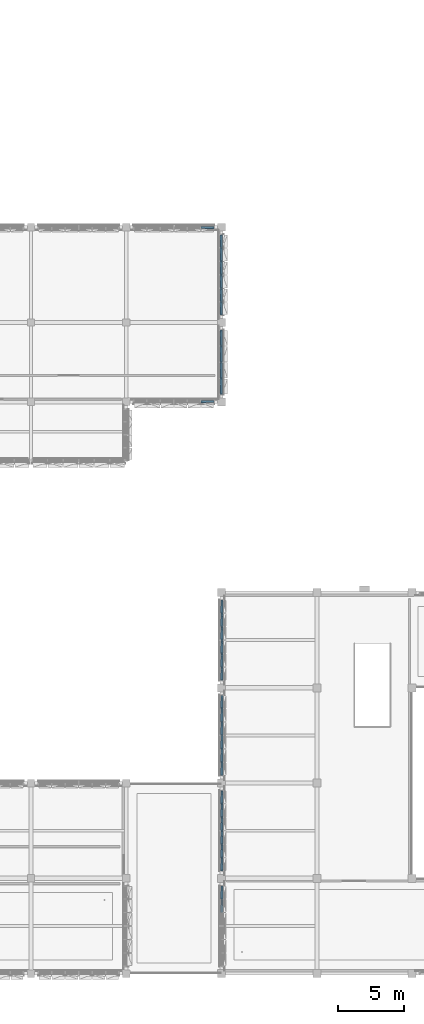
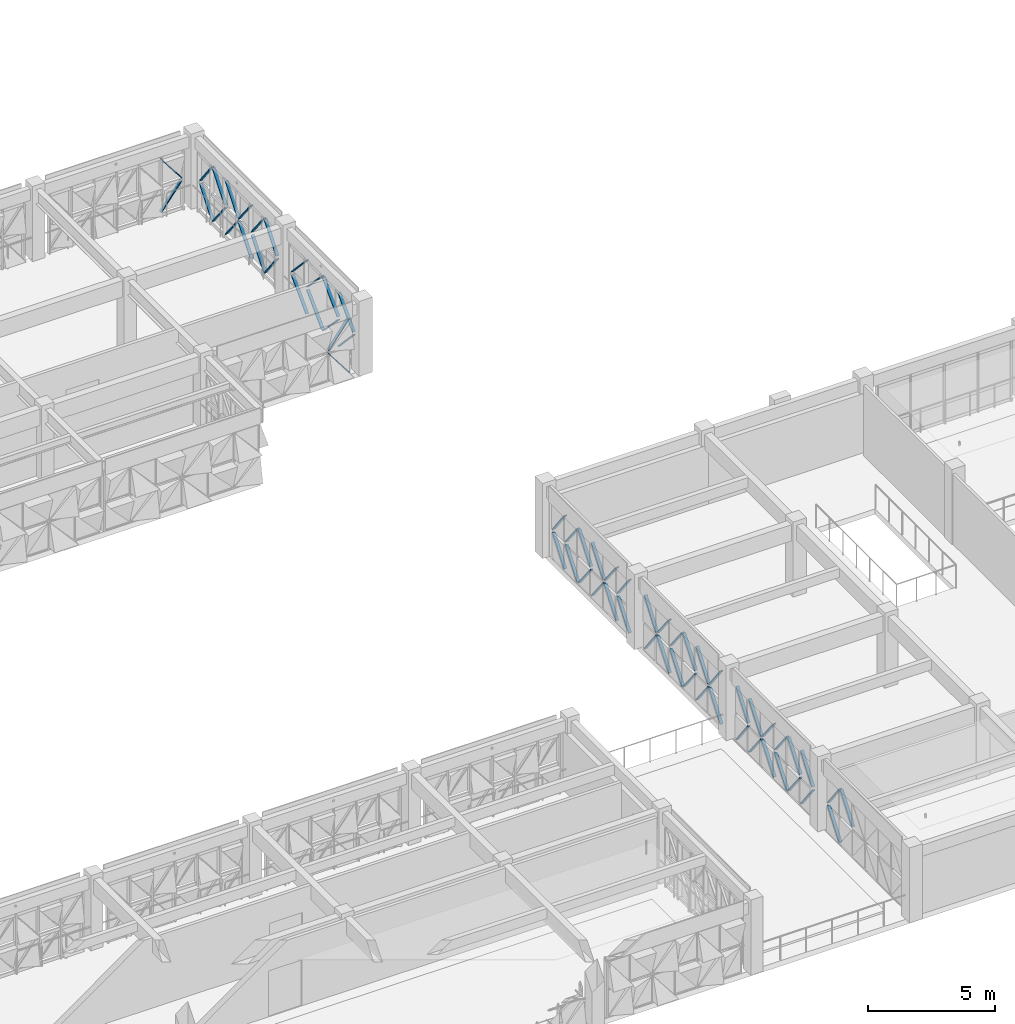
# One storey, part 54 of 85: 63 discrete accessories.
"""IFC4 building model written with IfcOpenShell, lengths in metres."""

from ifc_helpers import new_model, si_unit, direction, frame, origin, origin_2d, place, context, subcontext, project, spatial, rectangle, extrude, material, type_object, element, save


model = new_model("IFC4")

# Units and contexts
model_context = context("Model", 3, precision=1e-05, world=origin(), true_north=direction((0.0, 1.0)))
body_context = subcontext(model_context, "Body", "Model", "MODEL_VIEW")
ifc_project = project(units=[si_unit("LENGTHUNIT", "METRE"), si_unit("AREAUNIT", "SQUARE_METRE"), si_unit("VOLUMEUNIT", "CUBIC_METRE"), si_unit("PLANEANGLEUNIT", "RADIAN"), si_unit("MASSUNIT", "GRAM", prefix="KILO")], contexts=[model_context])

# Site, building, storey
site_placement = place(None, origin())
site = spatial("IfcSite", under=ifc_project, at=site_placement, CompositionType="ELEMENT")
building_placement = place(site_placement, origin())
building = spatial("IfcBuilding", under=site, at=building_placement, Name="Alvorim Cloister Faculty of Sciences", CompositionType="ELEMENT")
storey_placement = place(building_placement, frame((0.0, 0.0, 8.550048828125)))
storey = spatial("IfcBuildingStorey", under=building, at=storey_placement, Name="L02", CompositionType="ELEMENT", Elevation=8.550048828125)

# Discrete accessories
ifc_material = material(Name="Aluminium Alloy 6063-T6", Category="aluminium")
discrete_accessory_type = type_object("IfcDiscreteAccessoryType", Name="ACC-DIAG-BAR", PredefinedType="BRACKET", material=ifc_material)
for number, where, z_axis, x_axis, name in (
    (1, (63.2724609375, 56.37744140625, 0.139892578125), (0.604713142785, -0.006560793558, 0.796416330151), (0.010848792579, 0.999941150118, 0.0), "Diagonal Cassette Glazing Bracket ACC-00610"),
    (2, (63.2724609375, 56.37744140625, 2.7099609375), (0.604713142785, -0.006560793558, -0.796416330151), (0.010848792579, 0.999941150118, 0.0), "Diagonal Cassette Glazing Bracket ACC-00611"),
    (3, (64.777587890625, 49.804931640625, 1.35498046875), (-0.006560793558, 0.604713142785, -0.796416330151), (-0.999941150118, -0.010848792579, 0.0), "Diagonal Cassette Glazing Bracket ACC-00613"),
    (4, (64.777587890625, 49.804931640625, 1.494873046875), (-0.006560793558, 0.604713142785, 0.796416330151), (-0.999941150118, -0.010848792579, 0.0), "Diagonal Cassette Glazing Bracket ACC-00614"),
):
    element("IfcDiscreteAccessory", number, at=place(storey_placement, frame(where, z_axis=z_axis, x_axis=x_axis)), inside=storey, type_object=discrete_accessory_type, Name=name, PredefinedType="BRACKET", context=body_context, shape_type="SweptSolid", body=[
        extrude(rectangle(XDim=0.139892578125, YDim=0.044921875, at=origin_2d()), origin(), (0.0, 0.0, 1.0), 1.525634765625),
    ])
for number, where, z_axis, x_axis, name in (
    (5, (64.777587890625, 50.79248046875, 0.139892578125), (-0.006476523147, 0.617955086572, 0.786186724404), (-0.999945083323, -0.010479997039, 0.0), "Diagonal Cassette Glazing Bracket ACC-00615"),
    (6, (64.777587890625, 50.79248046875, 2.7099609375), (-0.006476523147, 0.617955086572, -0.786186724404), (-0.999945083323, -0.010479997039, 0.0), "Diagonal Cassette Glazing Bracket ACC-00616"),
    (7, (64.777587890625, 51.8125, 0.139892578125), (-0.006476523147, 0.617955086572, 0.786186724404), (-0.999945083323, -0.010479997039, 0.0), "Diagonal Cassette Glazing Bracket ACC-00617"),
    (8, (64.777587890625, 51.8125, 2.7099609375), (-0.006476523147, 0.617955086572, -0.786186724404), (-0.999945083323, -0.010479997039, 0.0), "Diagonal Cassette Glazing Bracket ACC-00618"),
    (9, (64.777587890625, 52.83251953125, 1.35498046875), (-0.006476523147, 0.617955086572, -0.786186724404), (-0.999945083323, -0.010479997039, 0.0), "Diagonal Cassette Glazing Bracket ACC-00619"),
    (10, (64.777587890625, 52.83251953125, 1.494873046875), (-0.006476523147, 0.617955086572, 0.786186724404), (-0.999945083323, -0.010479997039, 0.0), "Diagonal Cassette Glazing Bracket ACC-00620"),
    (11, (64.777587890625, 53.8525390625, 1.35498046875), (-0.006476523147, 0.617955086572, -0.786186724404), (-0.999945083323, -0.010479997039, 0.0), "Diagonal Cassette Glazing Bracket ACC-00621"),
    (12, (64.777587890625, 53.8525390625, 1.494873046875), (-0.006476523147, 0.617955086572, 0.786186724404), (-0.999945083323, -0.010479997039, 0.0), "Diagonal Cassette Glazing Bracket ACC-00622"),
):
    element("IfcDiscreteAccessory", number, at=place(storey_placement, frame(where, z_axis=z_axis, x_axis=x_axis)), inside=storey, type_object=discrete_accessory_type, Name=name, PredefinedType="BRACKET", context=body_context, shape_type="SweptSolid", body=[
        extrude(rectangle(XDim=0.139892578125, YDim=0.044921875, at=origin_2d()), origin(), (0.0, 0.0, 1.0), 1.545654296875),
    ])
for number, where, z_axis, x_axis, name in (
    (13, (64.777587890625, 54.87255859375, 0.139892578125), (-0.006561428426, 0.604611624251, 0.796493397008), (-0.999941118963, -0.010851663811, 0.0), "Diagonal Cassette Glazing Bracket ACC-00623"),
    (14, (64.777587890625, 54.87255859375, 2.7099609375), (-0.006561428426, 0.604611624251, -0.796493397008), (-0.999941118963, -0.010851663811, 0.0), "Diagonal Cassette Glazing Bracket ACC-00624"),
):
    element("IfcDiscreteAccessory", number, at=place(storey_placement, frame(where, z_axis=z_axis, x_axis=x_axis)), inside=storey, type_object=discrete_accessory_type, Name=name, PredefinedType="BRACKET", context=body_context, shape_type="SweptSolid", body=[
        extrude(rectangle(XDim=0.139892578125, YDim=0.044921875, at=origin_2d()), origin(), (0.0, 0.0, 1.0), 1.525634765625),
    ])
for number, where, z_axis, x_axis, name in (
    (15, (64.777587890625, 43.804931640625, 1.35498046875), (-0.00602598982, 0.681818701864, -0.731496374041), (-0.999960946179, -0.0088377665, 0.0), "Diagonal Cassette Glazing Bracket ACC-00626"),
    (16, (64.777587890625, 43.804931640625, 1.494873046875), (-0.00602598982, 0.681818701864, 0.731496374041), (-0.999960946179, -0.0088377665, 0.0), "Diagonal Cassette Glazing Bracket ACC-00627"),
):
    element("IfcDiscreteAccessory", number, at=place(storey_placement, frame(where, z_axis=z_axis, x_axis=x_axis)), inside=storey, type_object=discrete_accessory_type, Name=name, PredefinedType="BRACKET", context=body_context, shape_type="SweptSolid", body=[
        extrude(rectangle(XDim=0.139892578125, YDim=0.044921875, at=origin_2d()), origin(), (0.0, 0.0, 1.0), 1.6611328125),
    ])
for number, where, z_axis, x_axis, name in (
    (17, (64.777587890625, 45.00244140625, 1.35498046875), (-0.00594613975, 0.692072655757, -0.721803354506), (-0.999963092655, -0.008591468315, 0.0), "Diagonal Cassette Glazing Bracket ACC-00628"),
    (18, (64.777587890625, 45.00244140625, 1.494873046875), (-0.00594613975, 0.692072655757, 0.721803354506), (-0.999963092655, -0.008591468315, 0.0), "Diagonal Cassette Glazing Bracket ACC-00629"),
    (19, (64.777587890625, 46.232421875, 0.139892578125), (-0.00594613975, 0.692072655757, 0.721803354506), (-0.999963092655, -0.008591468315, 0.0), "Diagonal Cassette Glazing Bracket ACC-00630"),
    (20, (64.777587890625, 46.232421875, 2.7099609375), (-0.00594613975, 0.692072655757, -0.721803354506), (-0.999963092655, -0.008591468315, 0.0), "Diagonal Cassette Glazing Bracket ACC-00631"),
):
    element("IfcDiscreteAccessory", number, at=place(storey_placement, frame(where, z_axis=z_axis, x_axis=x_axis)), inside=storey, type_object=discrete_accessory_type, Name=name, PredefinedType="BRACKET", context=body_context, shape_type="SweptSolid", body=[
        extrude(rectangle(XDim=0.139892578125, YDim=0.044921875, at=origin_2d()), origin(), (0.0, 0.0, 1.0), 1.683349609375),
    ])
for number, where, z_axis, x_axis, name in (
    (21, (64.777587890625, 47.46240234375, 0.139892578125), (-0.00602598982, 0.681818701864, 0.731496374041), (-0.999960946179, -0.0088377665, 0.0), "Diagonal Cassette Glazing Bracket ACC-00632"),
    (22, (64.777587890625, 47.46240234375, 2.7099609375), (-0.00602598982, 0.681818701864, -0.731496374041), (-0.999960946179, -0.0088377665, 0.0), "Diagonal Cassette Glazing Bracket ACC-00633"),
):
    element("IfcDiscreteAccessory", number, at=place(storey_placement, frame(where, z_axis=z_axis, x_axis=x_axis)), inside=storey, type_object=discrete_accessory_type, Name=name, PredefinedType="BRACKET", context=body_context, shape_type="SweptSolid", body=[
        extrude(rectangle(XDim=0.139892578125, YDim=0.044921875, at=origin_2d()), origin(), (0.0, 0.0, 1.0), 1.6611328125),
    ])
for number, where, z_axis, x_axis, name in (
    (23, (63.2724609375, 43.222412109375, 1.35498046875), (0.604713142785, 0.006560793558, -0.796416330151), (-0.010848792579, 0.999941150118, 0.0), "Diagonal Cassette Glazing Bracket ACC-00645"),
    (24, (63.2724609375, 43.222412109375, 1.494873046875), (0.604713142785, 0.006560793558, 0.796416330151), (-0.010848792579, 0.999941150118, 0.0), "Diagonal Cassette Glazing Bracket ACC-00646"),
):
    element("IfcDiscreteAccessory", number, at=place(storey_placement, frame(where, z_axis=z_axis, x_axis=x_axis)), inside=storey, type_object=discrete_accessory_type, Name=name, PredefinedType="BRACKET", context=body_context, shape_type="SweptSolid", body=[
        extrude(rectangle(XDim=0.139892578125, YDim=0.044921875, at=origin_2d()), origin(), (0.0, 0.0, 1.0), 1.525634765625),
    ])
discrete_accessory_placement = place(storey_placement, frame((64.822509765625, 4.652587890625, 1.494873046875), z_axis=(0.006477155362, 0.61785742976, 0.786263469168), x_axis=(-0.999945055239, 0.010482676365, 0.0)))
element("IfcDiscreteAccessory", 25, at=discrete_accessory_placement, inside=storey, type_object=discrete_accessory_type, Name="Diagonal Cassette Glazing Bracket ACC-00979", PredefinedType="BRACKET", context=body_context, shape_type="SweptSolid", body=[
    extrude(rectangle(XDim=0.139892578125, YDim=0.044921875, at=origin_2d()), origin(), (0.0, 0.0, 1.0), 1.54541015625),
])
for number, where, z_axis, x_axis, name in (
    (26, (64.822509765625, 5.672607421875, 0.139892578125), (0.006561428426, 0.604611624251, 0.796493397008), (-0.999941118963, 0.010851663811, 0.0), "Diagonal Cassette Glazing Bracket ACC-00980"),
    (27, (64.822509765625, 5.672607421875, 2.7099609375), (0.006561428426, 0.604611624251, -0.796493397008), (-0.999941118963, 0.010851663811, 0.0), "Diagonal Cassette Glazing Bracket ACC-00981"),
    (28, (64.822509765625, 7.804931640625, 1.35498046875), (0.006560793558, 0.604713142785, -0.796416330151), (-0.999941150118, 0.010848792579, 0.0), "Diagonal Cassette Glazing Bracket ACC-00983"),
    (29, (64.822509765625, 7.804931640625, 1.494873046875), (0.006560793558, 0.604713142785, 0.796416330151), (-0.999941150118, 0.010848792579, 0.0), "Diagonal Cassette Glazing Bracket ACC-00984"),
):
    element("IfcDiscreteAccessory", number, at=place(storey_placement, frame(where, z_axis=z_axis, x_axis=x_axis)), inside=storey, type_object=discrete_accessory_type, Name=name, PredefinedType="BRACKET", context=body_context, shape_type="SweptSolid", body=[
        extrude(rectangle(XDim=0.139892578125, YDim=0.044921875, at=origin_2d()), origin(), (0.0, 0.0, 1.0), 1.525634765625),
    ])
for number, where, z_axis, x_axis, name in (
    (30, (64.822509765625, 8.79248046875, 1.35498046875), (0.006476523147, 0.617955086572, -0.786186724404), (-0.999945083323, 0.010479997039, 0.0), "Diagonal Cassette Glazing Bracket ACC-00985"),
    (31, (64.822509765625, 8.79248046875, 1.494873046875), (0.006476523147, 0.617955086572, 0.786186724404), (-0.999945083323, 0.010479997039, 0.0), "Diagonal Cassette Glazing Bracket ACC-00986"),
    (32, (64.822509765625, 9.8125, 0.139892578125), (0.006476523147, 0.617955086572, 0.786186724404), (-0.999945083323, 0.010479997039, 0.0), "Diagonal Cassette Glazing Bracket ACC-00987"),
    (33, (64.822509765625, 9.8125, 2.7099609375), (0.006476523147, 0.617955086572, -0.786186724404), (-0.999945083323, 0.010479997039, 0.0), "Diagonal Cassette Glazing Bracket ACC-00988"),
    (34, (64.822509765625, 10.83251953125, 0.139892578125), (0.006476523147, 0.617955086572, 0.786186724404), (-0.999945083323, 0.010479997039, 0.0), "Diagonal Cassette Glazing Bracket ACC-00989"),
    (35, (64.822509765625, 10.83251953125, 2.7099609375), (0.006476523147, 0.617955086572, -0.786186724404), (-0.999945083323, 0.010479997039, 0.0), "Diagonal Cassette Glazing Bracket ACC-00990"),
    (36, (64.822509765625, 11.8525390625, 1.35498046875), (0.006476523147, 0.617955086572, -0.786186724404), (-0.999945083323, 0.010479997039, 0.0), "Diagonal Cassette Glazing Bracket ACC-00991"),
    (37, (64.822509765625, 11.8525390625, 1.494873046875), (0.006476523147, 0.617955086572, 0.786186724404), (-0.999945083323, 0.010479997039, 0.0), "Diagonal Cassette Glazing Bracket ACC-00992"),
):
    element("IfcDiscreteAccessory", number, at=place(storey_placement, frame(where, z_axis=z_axis, x_axis=x_axis)), inside=storey, type_object=discrete_accessory_type, Name=name, PredefinedType="BRACKET", context=body_context, shape_type="SweptSolid", body=[
        extrude(rectangle(XDim=0.139892578125, YDim=0.044921875, at=origin_2d()), origin(), (0.0, 0.0, 1.0), 1.545654296875),
    ])
for number, where, z_axis, x_axis, name in (
    (38, (64.822509765625, 12.87255859375, 1.35498046875), (0.006561428426, 0.604611624251, -0.796493397008), (-0.999941118963, 0.010851663811, 0.0), "Diagonal Cassette Glazing Bracket ACC-00993"),
    (39, (64.822509765625, 12.87255859375, 1.494873046875), (0.006561428426, 0.604611624251, 0.796493397008), (-0.999941118963, 0.010851663811, 0.0), "Diagonal Cassette Glazing Bracket ACC-00994"),
    (40, (64.822509765625, 15.0048828125, 0.139892578125), (0.006560793558, 0.604713142785, 0.796416330151), (-0.999941150118, 0.010848792579, 0.0), "Diagonal Cassette Glazing Bracket ACC-00996"),
    (41, (64.822509765625, 15.0048828125, 2.7099609375), (0.006560793558, 0.604713142785, -0.796416330151), (-0.999941150118, 0.010848792579, 0.0), "Diagonal Cassette Glazing Bracket ACC-00997"),
):
    element("IfcDiscreteAccessory", number, at=place(storey_placement, frame(where, z_axis=z_axis, x_axis=x_axis)), inside=storey, type_object=discrete_accessory_type, Name=name, PredefinedType="BRACKET", context=body_context, shape_type="SweptSolid", body=[
        extrude(rectangle(XDim=0.139892578125, YDim=0.044921875, at=origin_2d()), origin(), (0.0, 0.0, 1.0), 1.525634765625),
    ])
for number, where, z_axis, x_axis, name in (
    (42, (64.822509765625, 15.992431640625, 1.35498046875), (0.006476523147, 0.617955086572, -0.786186724404), (-0.999945083323, 0.010479997039, 0.0), "Diagonal Cassette Glazing Bracket ACC-00998"),
    (43, (64.822509765625, 15.992431640625, 1.494873046875), (0.006476523147, 0.617955086572, 0.786186724404), (-0.999945083323, 0.010479997039, 0.0), "Diagonal Cassette Glazing Bracket ACC-00999"),
    (44, (64.822509765625, 17.012451171875, 1.35498046875), (0.006476523147, 0.617955086572, -0.786186724404), (-0.999945083323, 0.010479997039, 0.0), "Diagonal Cassette Glazing Bracket ACC-01000"),
    (45, (64.822509765625, 17.012451171875, 1.494873046875), (0.006476523147, 0.617955086572, 0.786186724404), (-0.999945083323, 0.010479997039, 0.0), "Diagonal Cassette Glazing Bracket ACC-01001"),
    (46, (64.822509765625, 18.032470703125, 0.139892578125), (0.006476523147, 0.617955086572, 0.786186724404), (-0.999945083323, 0.010479997039, 0.0), "Diagonal Cassette Glazing Bracket ACC-01002"),
    (47, (64.822509765625, 18.032470703125, 2.7099609375), (0.006476523147, 0.617955086572, -0.786186724404), (-0.999945083323, 0.010479997039, 0.0), "Diagonal Cassette Glazing Bracket ACC-01003"),
    (48, (64.822509765625, 19.052490234375, 0.139892578125), (0.006476523147, 0.617955086572, 0.786186724404), (-0.999945083323, 0.010479997039, 0.0), "Diagonal Cassette Glazing Bracket ACC-01004"),
    (49, (64.822509765625, 19.052490234375, 2.7099609375), (0.006476523147, 0.617955086572, -0.786186724404), (-0.999945083323, 0.010479997039, 0.0), "Diagonal Cassette Glazing Bracket ACC-01005"),
):
    element("IfcDiscreteAccessory", number, at=place(storey_placement, frame(where, z_axis=z_axis, x_axis=x_axis)), inside=storey, type_object=discrete_accessory_type, Name=name, PredefinedType="BRACKET", context=body_context, shape_type="SweptSolid", body=[
        extrude(rectangle(XDim=0.139892578125, YDim=0.044921875, at=origin_2d()), origin(), (0.0, 0.0, 1.0), 1.545654296875),
    ])
for number, where, z_axis, x_axis, name in (
    (50, (64.822509765625, 20.072509765625, 1.35498046875), (0.006560793558, 0.604713142785, -0.796416330151), (-0.999941150118, 0.010848792579, 0.0), "Diagonal Cassette Glazing Bracket ACC-01006"),
    (51, (64.822509765625, 20.072509765625, 1.494873046875), (0.006560793558, 0.604713142785, 0.796416330151), (-0.999941150118, 0.010848792579, 0.0), "Diagonal Cassette Glazing Bracket ACC-01007"),
    (52, (64.822509765625, 22.205078125, 0.139892578125), (0.006561428426, 0.604611624251, 0.796493397008), (-0.999941118963, 0.010851663811, 0.0), "Diagonal Cassette Glazing Bracket ACC-01009"),
    (53, (64.822509765625, 22.205078125, 2.7099609375), (0.006561428426, 0.604611624251, -0.796493397008), (-0.999941118963, 0.010851663811, 0.0), "Diagonal Cassette Glazing Bracket ACC-01010"),
):
    element("IfcDiscreteAccessory", number, at=place(storey_placement, frame(where, z_axis=z_axis, x_axis=x_axis)), inside=storey, type_object=discrete_accessory_type, Name=name, PredefinedType="BRACKET", context=body_context, shape_type="SweptSolid", body=[
        extrude(rectangle(XDim=0.139892578125, YDim=0.044921875, at=origin_2d()), origin(), (0.0, 0.0, 1.0), 1.525634765625),
    ])
for number, where, z_axis, x_axis, name in (
    (54, (64.822509765625, 23.1923828125, 0.139892578125), (0.006476523147, 0.617955086572, 0.786186724404), (-0.999945083323, 0.010479997039, 0.0), "Diagonal Cassette Glazing Bracket ACC-01011"),
    (55, (64.822509765625, 23.1923828125, 2.7099609375), (0.006476523147, 0.617955086572, -0.786186724404), (-0.999945083323, 0.010479997039, 0.0), "Diagonal Cassette Glazing Bracket ACC-01012"),
    (56, (64.822509765625, 24.21240234375, 1.35498046875), (0.006476523147, 0.617955086572, -0.786186724404), (-0.999945083323, 0.010479997039, 0.0), "Diagonal Cassette Glazing Bracket ACC-01013"),
    (57, (64.822509765625, 24.21240234375, 1.494873046875), (0.006476523147, 0.617955086572, 0.786186724404), (-0.999945083323, 0.010479997039, 0.0), "Diagonal Cassette Glazing Bracket ACC-01014"),
    (58, (64.822509765625, 25.232421875, 1.35498046875), (0.006476523147, 0.617955086572, -0.786186724404), (-0.999945083323, 0.010479997039, 0.0), "Diagonal Cassette Glazing Bracket ACC-01015"),
    (59, (64.822509765625, 25.232421875, 1.494873046875), (0.006476523147, 0.617955086572, 0.786186724404), (-0.999945083323, 0.010479997039, 0.0), "Diagonal Cassette Glazing Bracket ACC-01016"),
    (60, (64.822509765625, 26.25244140625, 0.139892578125), (0.006476523147, 0.617955086572, 0.786186724404), (-0.999945083323, 0.010479997039, 0.0), "Diagonal Cassette Glazing Bracket ACC-01017"),
    (61, (64.822509765625, 26.25244140625, 2.7099609375), (0.006476523147, 0.617955086572, -0.786186724404), (-0.999945083323, 0.010479997039, 0.0), "Diagonal Cassette Glazing Bracket ACC-01018"),
):
    element("IfcDiscreteAccessory", number, at=place(storey_placement, frame(where, z_axis=z_axis, x_axis=x_axis)), inside=storey, type_object=discrete_accessory_type, Name=name, PredefinedType="BRACKET", context=body_context, shape_type="SweptSolid", body=[
        extrude(rectangle(XDim=0.139892578125, YDim=0.044921875, at=origin_2d()), origin(), (0.0, 0.0, 1.0), 1.545654296875),
    ])
for number, where, z_axis, x_axis, name in (
    (62, (64.822509765625, 27.2724609375, 0.139892578125), (0.006560793558, 0.604713142785, 0.796416330151), (-0.999941150118, 0.010848792579, 0.0), "Diagonal Cassette Glazing Bracket ACC-01019"),
    (63, (64.822509765625, 27.2724609375, 2.7099609375), (0.006560793558, 0.604713142785, -0.796416330151), (-0.999941150118, 0.010848792579, 0.0), "Diagonal Cassette Glazing Bracket ACC-01020"),
):
    element("IfcDiscreteAccessory", number, at=place(storey_placement, frame(where, z_axis=z_axis, x_axis=x_axis)), inside=storey, type_object=discrete_accessory_type, Name=name, PredefinedType="BRACKET", context=body_context, shape_type="SweptSolid", body=[
        extrude(rectangle(XDim=0.139892578125, YDim=0.044921875, at=origin_2d()), origin(), (0.0, 0.0, 1.0), 1.525634765625),
    ])

save(model, "model.ifc")
